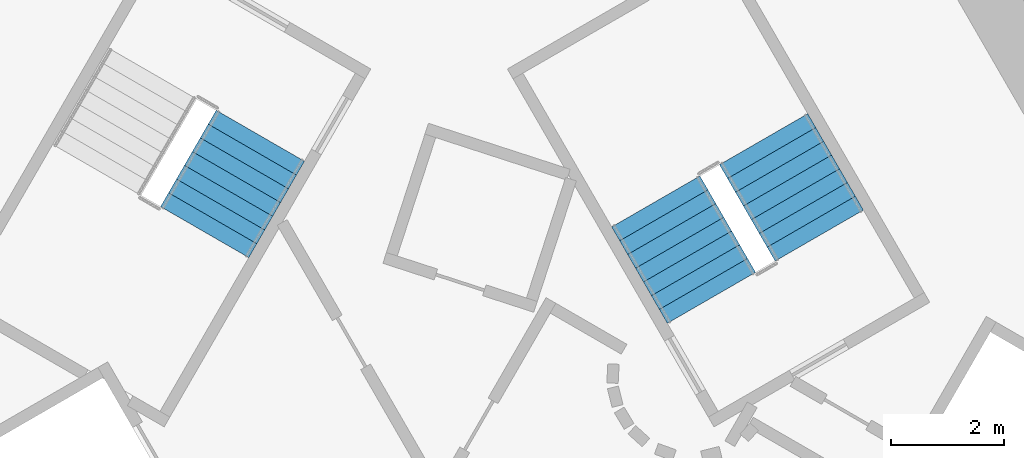
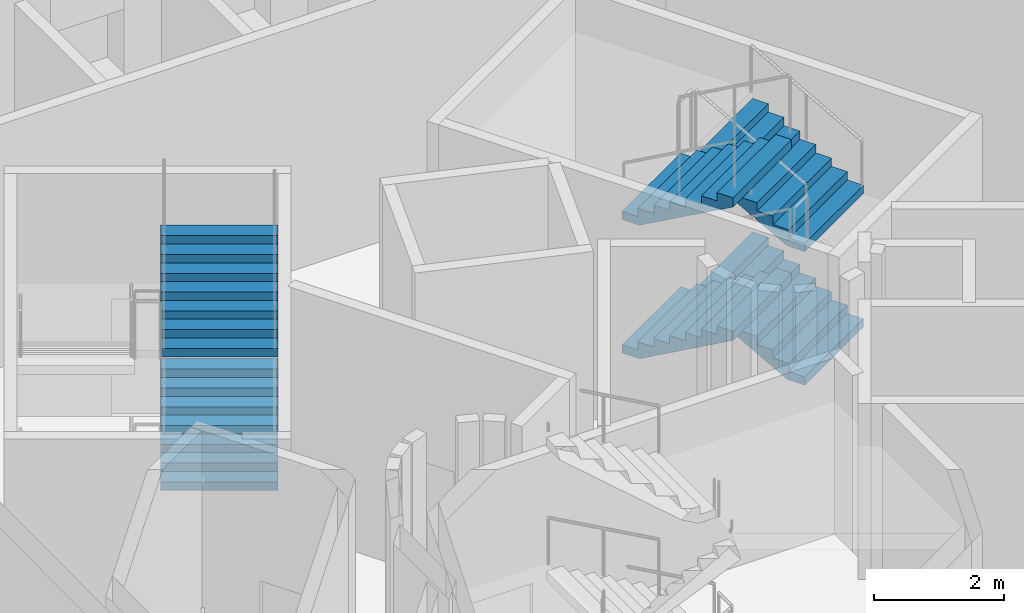
# One storey, part 11 of 16: 6 stair flights, 2 elements without a shape of their own.
"""IFC4 building model written with IfcOpenShell, lengths in metres."""

from ifc_helpers import new_model, si_unit, direction, frame, origin, place, context, subcontext, project, spatial, triangles, material, type_object, element, aggregate, save


model = new_model("IFC4")

# Units and contexts
model_context = context("Model", 3, precision=1e-05, world=origin(), true_north=direction((0.0, 1.0)))
body_context = subcontext(model_context, "Body", "Model", "MODEL_VIEW")
ifc_project = project(units=[si_unit("LENGTHUNIT", "METRE"), si_unit("AREAUNIT", "SQUARE_METRE"), si_unit("VOLUMEUNIT", "CUBIC_METRE"), si_unit("PLANEANGLEUNIT", "RADIAN"), si_unit("MASSUNIT", "GRAM", prefix="KILO")], contexts=[model_context])

# Site, building, storey
site_placement = place(None, origin())
site = spatial("IfcSite", under=ifc_project, at=site_placement, CompositionType="ELEMENT")
building_placement = place(site_placement, origin())
building = spatial("IfcBuilding", under=site, at=building_placement, Name="Entoto Arch Interchange Tower", CompositionType="ELEMENT")
storey_placement = place(building_placement, frame((0.0, 0.0, 15.0)))
storey = spatial("IfcBuildingStorey", under=building, at=storey_placement, Name="L02", CompositionType="ELEMENT", Elevation=15.0)

# Stair, stair flights
ifc_material = material(Name="Concrete C40/50", Category="concrete")
stair_type = type_object("IfcStairType", Name="EXIT STAIR RC 1800", PredefinedType="HALF_TURN_STAIR", material=ifc_material)
stair_1_placement = place(storey_placement, origin())
stair_1 = element("IfcStair", 1, at=stair_1_placement, inside=storey, type_object=stair_type, Name="L02 Exit stair NE", PredefinedType="HALF_TURN_STAIR")
stair_flight_type = type_object("IfcStairFlightType", Name="EXIT STAIR FLIGHT RC 1800", PredefinedType="STRAIGHT", material=ifc_material)
stair_flight_1_placement = place(storey_placement, frame((6.7138671875, 4.470947265625, 0.0), z_axis=(0.0, 0.0, 1.0), x_axis=(-0.5, 0.866025403784, 0.0)))
stair_flight_1 = element("IfcStairFlight", 2, at=stair_flight_1_placement, type_object=stair_flight_type, Name="ST-NE flight 1", NumberOfRisers=8, NumberOfTreads=7, PredefinedType="STRAIGHT", RiserHeight=0.15625, TreadLength=0.28, context=body_context, shape_type="Tessellation", body=[
    triangles([(-0.003, -0.900024, 0.0), (-0.003, -0.900024, 0.15625), (0.28, -0.900024, 0.15625), (0.28, -0.900024, 0.3125), (0.56, -0.900024, 0.3125), (0.56, -0.900024, 0.46875), (0.84, -0.900024, 0.46875), (0.84, -0.900024, 0.625), (1.12, -0.900024, 0.625), (1.12, -0.900024, 0.78125), (1.4, -0.900024, 0.78125), (1.4, -0.900024, 0.9375), (1.68, -0.900024, 0.9375), (1.68, -0.900024, 1.09375), (1.96, -0.900024, 1.09375), (1.963, -0.900024, 1.09375), (1.963, -0.900024, 0.923761), (0.30762, -0.900024, 0.0), (-0.003, 0.900024, 0.0), (-0.003, 0.900024, 0.15625), (0.28, 0.900024, 0.15625), (0.28, 0.900024, 0.3125), (0.56, 0.900024, 0.3125), (0.56, 0.900024, 0.46875), (0.84, 0.900024, 0.46875), (0.84, 0.900024, 0.625), (1.12, 0.900024, 0.625), (1.12, 0.900024, 0.78125), (1.4, 0.900024, 0.78125), (1.4, 0.900024, 0.9375), (1.68, 0.900024, 0.9375), (1.68, 0.900024, 1.09375), (1.96, 0.900024, 1.09375), (1.963, 0.900024, 1.09375), (1.963, 0.900024, 0.923761), (0.30762, 0.900024, 0.0), (-0.003, -0.450012, 0.0), (-0.003, -0.450012, 0.15625), (-0.003, 0.0, 0.0), (-0.003, 0.0, 0.15625), (-0.003, 0.450012, 0.0), (-0.003, 0.450012, 0.15625), (0.28, -0.450012, 0.15625), (0.28, 0.0, 0.15625), (0.28, 0.450012, 0.15625), (0.28, -0.450012, 0.3125), (0.28, 0.0, 0.3125), (0.28, 0.450012, 0.3125), (0.56, -0.450012, 0.3125), (0.56, 0.0, 0.3125), (0.56, 0.450012, 0.3125), (0.56, -0.450012, 0.46875), (0.56, 0.0, 0.46875), (0.56, 0.450012, 0.46875), (0.84, -0.450012, 0.46875), (0.84, 0.0, 0.46875), (0.84, 0.450012, 0.46875), (0.84, -0.450012, 0.625), (0.84, 0.0, 0.625), (0.84, 0.450012, 0.625), (1.12, -0.450012, 0.625), (1.12, 0.0, 0.625), (1.12, 0.450012, 0.625), (1.12, -0.450012, 0.78125), (1.12, 0.0, 0.78125), (1.12, 0.450012, 0.78125), (1.4, -0.450012, 0.78125), (1.4, 0.0, 0.78125), (1.4, 0.450012, 0.78125), (1.4, -0.450012, 0.9375), (1.4, 0.0, 0.9375), (1.4, 0.450012, 0.9375), (1.68, -0.450012, 0.9375), (1.68, 0.0, 0.9375), (1.68, 0.450012, 0.9375), (1.68, -0.450012, 1.09375), (1.68, 0.0, 1.09375), (1.68, 0.450012, 1.09375), (1.96, -0.450012, 1.09375), (1.96, 0.0, 1.09375), (1.96, 0.450012, 1.09375), (1.963, -0.450012, 1.09375), (1.963, 0.0, 1.09375), (1.963, 0.450012, 1.09375), (1.963, -0.450012, 0.923761), (1.963, 0.0, 0.923761), (1.963, 0.450012, 0.923761), (0.30762, -0.450012, 0.0), (0.30762, 0.0, 0.0), (0.30762, 0.450012, 0.0)], [[1, 18, 17], [17, 16, 15], [17, 15, 14], [17, 14, 13], [17, 13, 12], [17, 12, 11], [11, 10, 9], [17, 11, 9], [9, 8, 7], [17, 9, 7], [7, 6, 5], [17, 7, 5], [5, 4, 3], [17, 5, 3], [1, 17, 3], [3, 2, 1], [19, 35, 36], [35, 33, 34], [35, 32, 33], [35, 31, 32], [35, 30, 31], [35, 29, 30], [29, 27, 28], [35, 27, 29], [27, 25, 26], [35, 25, 27], [25, 23, 24], [35, 23, 25], [23, 21, 22], [35, 21, 23], [19, 21, 35], [21, 19, 20], [1, 2, 38], [1, 38, 37], [37, 38, 40], [37, 40, 39], [39, 40, 42], [39, 42, 41], [41, 42, 20], [41, 20, 19], [2, 3, 43], [2, 43, 38], [38, 43, 44], [38, 44, 40], [40, 44, 45], [40, 45, 42], [42, 45, 21], [42, 21, 20], [3, 4, 46], [3, 46, 43], [43, 46, 47], [43, 47, 44], [44, 47, 48], [44, 48, 45], [45, 48, 22], [45, 22, 21], [4, 5, 49], [4, 49, 46], [46, 49, 50], [46, 50, 47], [47, 50, 51], [47, 51, 48], [48, 51, 23], [48, 23, 22], [5, 6, 52], [5, 52, 49], [49, 52, 53], [49, 53, 50], [50, 53, 54], [50, 54, 51], [51, 54, 24], [51, 24, 23], [6, 7, 55], [6, 55, 52], [52, 55, 56], [52, 56, 53], [53, 56, 57], [53, 57, 54], [54, 57, 25], [54, 25, 24], [7, 8, 58], [7, 58, 55], [55, 58, 59], [55, 59, 56], [56, 59, 60], [56, 60, 57], [57, 60, 26], [57, 26, 25], [8, 9, 61], [8, 61, 58], [58, 61, 62], [58, 62, 59], [59, 62, 63], [59, 63, 60], [60, 63, 27], [60, 27, 26], [9, 10, 64], [9, 64, 61], [61, 64, 65], [61, 65, 62], [62, 65, 66], [62, 66, 63], [63, 66, 28], [63, 28, 27], [10, 11, 67], [10, 67, 64], [64, 67, 68], [64, 68, 65], [65, 68, 69], [65, 69, 66], [66, 69, 29], [66, 29, 28], [11, 12, 70], [11, 70, 67], [67, 70, 71], [67, 71, 68], [68, 71, 72], [68, 72, 69], [69, 72, 30], [69, 30, 29], [12, 13, 73], [12, 73, 70], [70, 73, 74], [70, 74, 71], [71, 74, 75], [71, 75, 72], [72, 75, 31], [72, 31, 30], [13, 14, 76], [13, 76, 73], [73, 76, 77], [73, 77, 74], [74, 77, 78], [74, 78, 75], [75, 78, 32], [75, 32, 31], [14, 15, 79], [14, 79, 76], [76, 79, 80], [76, 80, 77], [77, 80, 81], [77, 81, 78], [78, 81, 33], [78, 33, 32], [15, 16, 82], [15, 82, 79], [79, 82, 83], [79, 83, 80], [80, 83, 84], [80, 84, 81], [81, 84, 34], [81, 34, 33], [16, 17, 85], [16, 85, 82], [82, 85, 86], [82, 86, 83], [83, 86, 87], [83, 87, 84], [84, 87, 35], [84, 35, 34], [17, 18, 88], [17, 88, 85], [85, 88, 89], [85, 89, 86], [86, 89, 90], [86, 90, 87], [87, 90, 36], [87, 36, 35], [18, 1, 37], [18, 37, 88], [88, 37, 39], [88, 39, 89], [89, 39, 41], [89, 41, 90], [90, 41, 19], [90, 19, 36]], closed=True),
])
stair_flight_2_placement = place(storey_placement, frame((3.82861328125, 5.068359375, 1.25), z_axis=(0.0, 0.0, 1.0), x_axis=(0.5, -0.866025403784, 0.0)))
stair_flight_2 = element("IfcStairFlight", 3, at=stair_flight_2_placement, type_object=stair_flight_type, Name="ST-NE flight 2", NumberOfRisers=8, NumberOfTreads=7, PredefinedType="STRAIGHT", RiserHeight=0.15625, TreadLength=0.28, context=body_context, shape_type="Tessellation", body=[
    triangles([(-0.003, -0.900024, 0.0), (-0.003, -0.900024, 0.15625), (0.28, -0.900024, 0.15625), (0.28, -0.900024, 0.3125), (0.56, -0.900024, 0.3125), (0.56, -0.900024, 0.46875), (0.84, -0.900024, 0.46875), (0.84, -0.900024, 0.625), (1.12, -0.900024, 0.625), (1.12, -0.900024, 0.78125), (1.4, -0.900024, 0.78125), (1.4, -0.900024, 0.9375), (1.68, -0.900024, 0.9375), (1.68, -0.900024, 1.09375), (1.96, -0.900024, 1.09375), (1.963, -0.900024, 1.09375), (1.963, -0.900024, 0.923761), (0.30762, -0.900024, 0.0), (-0.003, 0.900024, 0.0), (-0.003, 0.900024, 0.15625), (0.28, 0.900024, 0.15625), (0.28, 0.900024, 0.3125), (0.56, 0.900024, 0.3125), (0.56, 0.900024, 0.46875), (0.84, 0.900024, 0.46875), (0.84, 0.900024, 0.625), (1.12, 0.900024, 0.625), (1.12, 0.900024, 0.78125), (1.4, 0.900024, 0.78125), (1.4, 0.900024, 0.9375), (1.68, 0.900024, 0.9375), (1.68, 0.900024, 1.09375), (1.96, 0.900024, 1.09375), (1.963, 0.900024, 1.09375), (1.963, 0.900024, 0.923761), (0.30762, 0.900024, 0.0), (-0.003, -0.450012, 0.0), (-0.003, -0.450012, 0.15625), (-0.003, 0.0, 0.0), (-0.003, 0.0, 0.15625), (-0.003, 0.450012, 0.0), (-0.003, 0.450012, 0.15625), (0.28, -0.450012, 0.15625), (0.28, 0.0, 0.15625), (0.28, 0.450012, 0.15625), (0.28, -0.450012, 0.3125), (0.28, 0.0, 0.3125), (0.28, 0.450012, 0.3125), (0.56, -0.450012, 0.3125), (0.56, 0.0, 0.3125), (0.56, 0.450012, 0.3125), (0.56, -0.450012, 0.46875), (0.56, 0.0, 0.46875), (0.56, 0.450012, 0.46875), (0.84, -0.450012, 0.46875), (0.84, 0.0, 0.46875), (0.84, 0.450012, 0.46875), (0.84, -0.450012, 0.625), (0.84, 0.0, 0.625), (0.84, 0.450012, 0.625), (1.12, -0.450012, 0.625), (1.12, 0.0, 0.625), (1.12, 0.450012, 0.625), (1.12, -0.450012, 0.78125), (1.12, 0.0, 0.78125), (1.12, 0.450012, 0.78125), (1.4, -0.450012, 0.78125), (1.4, 0.0, 0.78125), (1.4, 0.450012, 0.78125), (1.4, -0.450012, 0.9375), (1.4, 0.0, 0.9375), (1.4, 0.450012, 0.9375), (1.68, -0.450012, 0.9375), (1.68, 0.0, 0.9375), (1.68, 0.450012, 0.9375), (1.68, -0.450012, 1.09375), (1.68, 0.0, 1.09375), (1.68, 0.450012, 1.09375), (1.96, -0.450012, 1.09375), (1.96, 0.0, 1.09375), (1.96, 0.450012, 1.09375), (1.963, -0.450012, 1.09375), (1.963, 0.0, 1.09375), (1.963, 0.450012, 1.09375), (1.963, -0.450012, 0.923761), (1.963, 0.0, 0.923761), (1.963, 0.450012, 0.923761), (0.30762, -0.450012, 0.0), (0.30762, 0.0, 0.0), (0.30762, 0.450012, 0.0)], [[1, 18, 17], [17, 16, 15], [17, 15, 14], [17, 14, 13], [17, 13, 12], [17, 12, 11], [11, 10, 9], [17, 11, 9], [9, 8, 7], [17, 9, 7], [7, 6, 5], [17, 7, 5], [5, 4, 3], [17, 5, 3], [1, 17, 3], [3, 2, 1], [19, 35, 36], [35, 33, 34], [35, 32, 33], [35, 31, 32], [35, 30, 31], [35, 29, 30], [29, 27, 28], [35, 27, 29], [27, 25, 26], [35, 25, 27], [25, 23, 24], [35, 23, 25], [23, 21, 22], [35, 21, 23], [19, 21, 35], [21, 19, 20], [1, 2, 38], [1, 38, 37], [37, 38, 40], [37, 40, 39], [39, 40, 42], [39, 42, 41], [41, 42, 20], [41, 20, 19], [2, 3, 43], [2, 43, 38], [38, 43, 44], [38, 44, 40], [40, 44, 45], [40, 45, 42], [42, 45, 21], [42, 21, 20], [3, 4, 46], [3, 46, 43], [43, 46, 47], [43, 47, 44], [44, 47, 48], [44, 48, 45], [45, 48, 22], [45, 22, 21], [4, 5, 49], [4, 49, 46], [46, 49, 50], [46, 50, 47], [47, 50, 51], [47, 51, 48], [48, 51, 23], [48, 23, 22], [5, 6, 52], [5, 52, 49], [49, 52, 53], [49, 53, 50], [50, 53, 54], [50, 54, 51], [51, 54, 24], [51, 24, 23], [6, 7, 55], [6, 55, 52], [52, 55, 56], [52, 56, 53], [53, 56, 57], [53, 57, 54], [54, 57, 25], [54, 25, 24], [7, 8, 58], [7, 58, 55], [55, 58, 59], [55, 59, 56], [56, 59, 60], [56, 60, 57], [57, 60, 26], [57, 26, 25], [8, 9, 61], [8, 61, 58], [58, 61, 62], [58, 62, 59], [59, 62, 63], [59, 63, 60], [60, 63, 27], [60, 27, 26], [9, 10, 64], [9, 64, 61], [61, 64, 65], [61, 65, 62], [62, 65, 66], [62, 66, 63], [63, 66, 28], [63, 28, 27], [10, 11, 67], [10, 67, 64], [64, 67, 68], [64, 68, 65], [65, 68, 69], [65, 69, 66], [66, 69, 29], [66, 29, 28], [11, 12, 70], [11, 70, 67], [67, 70, 71], [67, 71, 68], [68, 71, 72], [68, 72, 69], [69, 72, 30], [69, 30, 29], [12, 13, 73], [12, 73, 70], [70, 73, 74], [70, 74, 71], [71, 74, 75], [71, 75, 72], [72, 75, 31], [72, 31, 30], [13, 14, 76], [13, 76, 73], [73, 76, 77], [73, 77, 74], [74, 77, 78], [74, 78, 75], [75, 78, 32], [75, 32, 31], [14, 15, 79], [14, 79, 76], [76, 79, 80], [76, 80, 77], [77, 80, 81], [77, 81, 78], [78, 81, 33], [78, 33, 32], [15, 16, 82], [15, 82, 79], [79, 82, 83], [79, 83, 80], [80, 83, 84], [80, 84, 81], [81, 84, 34], [81, 34, 33], [16, 17, 85], [16, 85, 82], [82, 85, 86], [82, 86, 83], [83, 86, 87], [83, 87, 84], [84, 87, 35], [84, 35, 34], [17, 18, 88], [17, 88, 85], [85, 88, 89], [85, 89, 86], [86, 89, 90], [86, 90, 87], [87, 90, 36], [87, 36, 35], [18, 1, 37], [18, 37, 88], [88, 37, 39], [88, 39, 89], [89, 39, 41], [89, 41, 90], [90, 41, 19], [90, 19, 36]], closed=True),
])
stair_flight_3_placement = place(storey_placement, frame((6.7138671875, 4.470947265625, 2.5), z_axis=(0.0, 0.0, 1.0), x_axis=(-0.5, 0.866025403784, 0.0)))
stair_flight_3 = element("IfcStairFlight", 4, at=stair_flight_3_placement, type_object=stair_flight_type, Name="ST-NE flight 3", NumberOfRisers=8, NumberOfTreads=7, PredefinedType="STRAIGHT", RiserHeight=0.15625, TreadLength=0.28, context=body_context, shape_type="Tessellation", body=[
    triangles([(-0.003, -0.900024, 0.0), (-0.003, -0.900024, 0.15625), (0.28, -0.900024, 0.15625), (0.28, -0.900024, 0.3125), (0.56, -0.900024, 0.3125), (0.56, -0.900024, 0.46875), (0.84, -0.900024, 0.46875), (0.84, -0.900024, 0.625), (1.12, -0.900024, 0.625), (1.12, -0.900024, 0.78125), (1.4, -0.900024, 0.78125), (1.4, -0.900024, 0.9375), (1.68, -0.900024, 0.9375), (1.68, -0.900024, 1.09375), (1.96, -0.900024, 1.09375), (1.963, -0.900024, 1.09375), (1.963, -0.900024, 0.923761), (0.30762, -0.900024, 0.0), (-0.003, 0.900024, 0.0), (-0.003, 0.900024, 0.15625), (0.28, 0.900024, 0.15625), (0.28, 0.900024, 0.3125), (0.56, 0.900024, 0.3125), (0.56, 0.900024, 0.46875), (0.84, 0.900024, 0.46875), (0.84, 0.900024, 0.625), (1.12, 0.900024, 0.625), (1.12, 0.900024, 0.78125), (1.4, 0.900024, 0.78125), (1.4, 0.900024, 0.9375), (1.68, 0.900024, 0.9375), (1.68, 0.900024, 1.09375), (1.96, 0.900024, 1.09375), (1.963, 0.900024, 1.09375), (1.963, 0.900024, 0.923761), (0.30762, 0.900024, 0.0), (-0.003, -0.450012, 0.0), (-0.003, -0.450012, 0.15625), (-0.003, 0.0, 0.0), (-0.003, 0.0, 0.15625), (-0.003, 0.450012, 0.0), (-0.003, 0.450012, 0.15625), (0.28, -0.450012, 0.15625), (0.28, 0.0, 0.15625), (0.28, 0.450012, 0.15625), (0.28, -0.450012, 0.3125), (0.28, 0.0, 0.3125), (0.28, 0.450012, 0.3125), (0.56, -0.450012, 0.3125), (0.56, 0.0, 0.3125), (0.56, 0.450012, 0.3125), (0.56, -0.450012, 0.46875), (0.56, 0.0, 0.46875), (0.56, 0.450012, 0.46875), (0.84, -0.450012, 0.46875), (0.84, 0.0, 0.46875), (0.84, 0.450012, 0.46875), (0.84, -0.450012, 0.625), (0.84, 0.0, 0.625), (0.84, 0.450012, 0.625), (1.12, -0.450012, 0.625), (1.12, 0.0, 0.625), (1.12, 0.450012, 0.625), (1.12, -0.450012, 0.78125), (1.12, 0.0, 0.78125), (1.12, 0.450012, 0.78125), (1.4, -0.450012, 0.78125), (1.4, 0.0, 0.78125), (1.4, 0.450012, 0.78125), (1.4, -0.450012, 0.9375), (1.4, 0.0, 0.9375), (1.4, 0.450012, 0.9375), (1.68, -0.450012, 0.9375), (1.68, 0.0, 0.9375), (1.68, 0.450012, 0.9375), (1.68, -0.450012, 1.09375), (1.68, 0.0, 1.09375), (1.68, 0.450012, 1.09375), (1.96, -0.450012, 1.09375), (1.96, 0.0, 1.09375), (1.96, 0.450012, 1.09375), (1.963, -0.450012, 1.09375), (1.963, 0.0, 1.09375), (1.963, 0.450012, 1.09375), (1.963, -0.450012, 0.923761), (1.963, 0.0, 0.923761), (1.963, 0.450012, 0.923761), (0.30762, -0.450012, 0.0), (0.30762, 0.0, 0.0), (0.30762, 0.450012, 0.0)], [[1, 18, 17], [17, 16, 15], [17, 15, 14], [17, 14, 13], [17, 13, 12], [17, 12, 11], [11, 10, 9], [17, 11, 9], [9, 8, 7], [17, 9, 7], [7, 6, 5], [17, 7, 5], [5, 4, 3], [17, 5, 3], [1, 17, 3], [3, 2, 1], [19, 35, 36], [35, 33, 34], [35, 32, 33], [35, 31, 32], [35, 30, 31], [35, 29, 30], [29, 27, 28], [35, 27, 29], [27, 25, 26], [35, 25, 27], [25, 23, 24], [35, 23, 25], [23, 21, 22], [35, 21, 23], [19, 21, 35], [21, 19, 20], [1, 2, 38], [1, 38, 37], [37, 38, 40], [37, 40, 39], [39, 40, 42], [39, 42, 41], [41, 42, 20], [41, 20, 19], [2, 3, 43], [2, 43, 38], [38, 43, 44], [38, 44, 40], [40, 44, 45], [40, 45, 42], [42, 45, 21], [42, 21, 20], [3, 4, 46], [3, 46, 43], [43, 46, 47], [43, 47, 44], [44, 47, 48], [44, 48, 45], [45, 48, 22], [45, 22, 21], [4, 5, 49], [4, 49, 46], [46, 49, 50], [46, 50, 47], [47, 50, 51], [47, 51, 48], [48, 51, 23], [48, 23, 22], [5, 6, 52], [5, 52, 49], [49, 52, 53], [49, 53, 50], [50, 53, 54], [50, 54, 51], [51, 54, 24], [51, 24, 23], [6, 7, 55], [6, 55, 52], [52, 55, 56], [52, 56, 53], [53, 56, 57], [53, 57, 54], [54, 57, 25], [54, 25, 24], [7, 8, 58], [7, 58, 55], [55, 58, 59], [55, 59, 56], [56, 59, 60], [56, 60, 57], [57, 60, 26], [57, 26, 25], [8, 9, 61], [8, 61, 58], [58, 61, 62], [58, 62, 59], [59, 62, 63], [59, 63, 60], [60, 63, 27], [60, 27, 26], [9, 10, 64], [9, 64, 61], [61, 64, 65], [61, 65, 62], [62, 65, 66], [62, 66, 63], [63, 66, 28], [63, 28, 27], [10, 11, 67], [10, 67, 64], [64, 67, 68], [64, 68, 65], [65, 68, 69], [65, 69, 66], [66, 69, 29], [66, 29, 28], [11, 12, 70], [11, 70, 67], [67, 70, 71], [67, 71, 68], [68, 71, 72], [68, 72, 69], [69, 72, 30], [69, 30, 29], [12, 13, 73], [12, 73, 70], [70, 73, 74], [70, 74, 71], [71, 74, 75], [71, 75, 72], [72, 75, 31], [72, 31, 30], [13, 14, 76], [13, 76, 73], [73, 76, 77], [73, 77, 74], [74, 77, 78], [74, 78, 75], [75, 78, 32], [75, 32, 31], [14, 15, 79], [14, 79, 76], [76, 79, 80], [76, 80, 77], [77, 80, 81], [77, 81, 78], [78, 81, 33], [78, 33, 32], [15, 16, 82], [15, 82, 79], [79, 82, 83], [79, 83, 80], [80, 83, 84], [80, 84, 81], [81, 84, 34], [81, 34, 33], [16, 17, 85], [16, 85, 82], [82, 85, 86], [82, 86, 83], [83, 86, 87], [83, 87, 84], [84, 87, 35], [84, 35, 34], [17, 18, 88], [17, 88, 85], [85, 88, 89], [85, 89, 86], [86, 89, 90], [86, 90, 87], [87, 90, 36], [87, 36, 35], [18, 1, 37], [18, 37, 88], [88, 37, 39], [88, 39, 89], [89, 39, 41], [89, 41, 90], [90, 41, 19], [90, 19, 36]], closed=True),
])
stair_flight_4_placement = place(storey_placement, frame((3.82861328125, 5.068359375, 3.75), z_axis=(0.0, 0.0, 1.0), x_axis=(0.5, -0.866025403784, 0.0)))
stair_flight_4 = element("IfcStairFlight", 5, at=stair_flight_4_placement, type_object=stair_flight_type, Name="ST-NE flight 4", NumberOfRisers=8, NumberOfTreads=7, PredefinedType="STRAIGHT", RiserHeight=0.15625, TreadLength=0.28, context=body_context, shape_type="Tessellation", body=[
    triangles([(-0.003, -0.900024, 0.0), (-0.003, -0.900024, 0.15625), (0.28, -0.900024, 0.15625), (0.28, -0.900024, 0.3125), (0.56, -0.900024, 0.3125), (0.56, -0.900024, 0.46875), (0.84, -0.900024, 0.46875), (0.84, -0.900024, 0.625), (1.12, -0.900024, 0.625), (1.12, -0.900024, 0.78125), (1.4, -0.900024, 0.78125), (1.4, -0.900024, 0.9375), (1.68, -0.900024, 0.9375), (1.68, -0.900024, 1.09375), (1.96, -0.900024, 1.09375), (1.963, -0.900024, 1.09375), (1.963, -0.900024, 0.923761), (0.30762, -0.900024, 0.0), (-0.003, 0.900024, 0.0), (-0.003, 0.900024, 0.15625), (0.28, 0.900024, 0.15625), (0.28, 0.900024, 0.3125), (0.56, 0.900024, 0.3125), (0.56, 0.900024, 0.46875), (0.84, 0.900024, 0.46875), (0.84, 0.900024, 0.625), (1.12, 0.900024, 0.625), (1.12, 0.900024, 0.78125), (1.4, 0.900024, 0.78125), (1.4, 0.900024, 0.9375), (1.68, 0.900024, 0.9375), (1.68, 0.900024, 1.09375), (1.96, 0.900024, 1.09375), (1.963, 0.900024, 1.09375), (1.963, 0.900024, 0.923761), (0.30762, 0.900024, 0.0), (-0.003, -0.450012, 0.0), (-0.003, -0.450012, 0.15625), (-0.003, 0.0, 0.0), (-0.003, 0.0, 0.15625), (-0.003, 0.450012, 0.0), (-0.003, 0.450012, 0.15625), (0.28, -0.450012, 0.15625), (0.28, 0.0, 0.15625), (0.28, 0.450012, 0.15625), (0.28, -0.450012, 0.3125), (0.28, 0.0, 0.3125), (0.28, 0.450012, 0.3125), (0.56, -0.450012, 0.3125), (0.56, 0.0, 0.3125), (0.56, 0.450012, 0.3125), (0.56, -0.450012, 0.46875), (0.56, 0.0, 0.46875), (0.56, 0.450012, 0.46875), (0.84, -0.450012, 0.46875), (0.84, 0.0, 0.46875), (0.84, 0.450012, 0.46875), (0.84, -0.450012, 0.625), (0.84, 0.0, 0.625), (0.84, 0.450012, 0.625), (1.12, -0.450012, 0.625), (1.12, 0.0, 0.625), (1.12, 0.450012, 0.625), (1.12, -0.450012, 0.78125), (1.12, 0.0, 0.78125), (1.12, 0.450012, 0.78125), (1.4, -0.450012, 0.78125), (1.4, 0.0, 0.78125), (1.4, 0.450012, 0.78125), (1.4, -0.450012, 0.9375), (1.4, 0.0, 0.9375), (1.4, 0.450012, 0.9375), (1.68, -0.450012, 0.9375), (1.68, 0.0, 0.9375), (1.68, 0.450012, 0.9375), (1.68, -0.450012, 1.09375), (1.68, 0.0, 1.09375), (1.68, 0.450012, 1.09375), (1.96, -0.450012, 1.09375), (1.96, 0.0, 1.09375), (1.96, 0.450012, 1.09375), (1.963, -0.450012, 1.09375), (1.963, 0.0, 1.09375), (1.963, 0.450012, 1.09375), (1.963, -0.450012, 0.923761), (1.963, 0.0, 0.923761), (1.963, 0.450012, 0.923761), (0.30762, -0.450012, 0.0), (0.30762, 0.0, 0.0), (0.30762, 0.450012, 0.0)], [[1, 18, 17], [17, 16, 15], [17, 15, 14], [17, 14, 13], [17, 13, 12], [17, 12, 11], [11, 10, 9], [17, 11, 9], [9, 8, 7], [17, 9, 7], [7, 6, 5], [17, 7, 5], [5, 4, 3], [17, 5, 3], [1, 17, 3], [3, 2, 1], [19, 35, 36], [35, 33, 34], [35, 32, 33], [35, 31, 32], [35, 30, 31], [35, 29, 30], [29, 27, 28], [35, 27, 29], [27, 25, 26], [35, 25, 27], [25, 23, 24], [35, 23, 25], [23, 21, 22], [35, 21, 23], [19, 21, 35], [21, 19, 20], [1, 2, 38], [1, 38, 37], [37, 38, 40], [37, 40, 39], [39, 40, 42], [39, 42, 41], [41, 42, 20], [41, 20, 19], [2, 3, 43], [2, 43, 38], [38, 43, 44], [38, 44, 40], [40, 44, 45], [40, 45, 42], [42, 45, 21], [42, 21, 20], [3, 4, 46], [3, 46, 43], [43, 46, 47], [43, 47, 44], [44, 47, 48], [44, 48, 45], [45, 48, 22], [45, 22, 21], [4, 5, 49], [4, 49, 46], [46, 49, 50], [46, 50, 47], [47, 50, 51], [47, 51, 48], [48, 51, 23], [48, 23, 22], [5, 6, 52], [5, 52, 49], [49, 52, 53], [49, 53, 50], [50, 53, 54], [50, 54, 51], [51, 54, 24], [51, 24, 23], [6, 7, 55], [6, 55, 52], [52, 55, 56], [52, 56, 53], [53, 56, 57], [53, 57, 54], [54, 57, 25], [54, 25, 24], [7, 8, 58], [7, 58, 55], [55, 58, 59], [55, 59, 56], [56, 59, 60], [56, 60, 57], [57, 60, 26], [57, 26, 25], [8, 9, 61], [8, 61, 58], [58, 61, 62], [58, 62, 59], [59, 62, 63], [59, 63, 60], [60, 63, 27], [60, 27, 26], [9, 10, 64], [9, 64, 61], [61, 64, 65], [61, 65, 62], [62, 65, 66], [62, 66, 63], [63, 66, 28], [63, 28, 27], [10, 11, 67], [10, 67, 64], [64, 67, 68], [64, 68, 65], [65, 68, 69], [65, 69, 66], [66, 69, 29], [66, 29, 28], [11, 12, 70], [11, 70, 67], [67, 70, 71], [67, 71, 68], [68, 71, 72], [68, 72, 69], [69, 72, 30], [69, 30, 29], [12, 13, 73], [12, 73, 70], [70, 73, 74], [70, 74, 71], [71, 74, 75], [71, 75, 72], [72, 75, 31], [72, 31, 30], [13, 14, 76], [13, 76, 73], [73, 76, 77], [73, 77, 74], [74, 77, 78], [74, 78, 75], [75, 78, 32], [75, 32, 31], [14, 15, 79], [14, 79, 76], [76, 79, 80], [76, 80, 77], [77, 80, 81], [77, 81, 78], [78, 81, 33], [78, 33, 32], [15, 16, 82], [15, 82, 79], [79, 82, 83], [79, 83, 80], [80, 83, 84], [80, 84, 81], [81, 84, 34], [81, 34, 33], [16, 17, 85], [16, 85, 82], [82, 85, 86], [82, 86, 83], [83, 86, 87], [83, 87, 84], [84, 87, 35], [84, 35, 34], [17, 18, 88], [17, 88, 85], [85, 88, 89], [85, 89, 86], [86, 89, 90], [86, 90, 87], [87, 90, 36], [87, 36, 35], [18, 1, 37], [18, 37, 88], [88, 37, 39], [88, 39, 89], [89, 39, 41], [89, 41, 90], [90, 41, 19], [90, 19, 36]], closed=True),
])
aggregate(stair_1, [stair_flight_1, stair_flight_2, stair_flight_3, stair_flight_4])

stair_2_placement = place(storey_placement, origin())
stair_2 = element("IfcStair", 6, at=stair_2_placement, inside=storey, type_object=stair_type, Name="L02 Exit stair NW", PredefinedType="HALF_TURN_STAIR")
stair_flight_5_placement = place(storey_placement, frame((-4.138671875, 4.531494140625, 1.25), z_axis=(0.0, 0.0, 1.0), x_axis=(0.5, 0.866025403784, 0.0)))
stair_flight_5 = element("IfcStairFlight", 7, at=stair_flight_5_placement, type_object=stair_flight_type, Name="ST-NW flight 2", NumberOfRisers=8, NumberOfTreads=7, PredefinedType="STRAIGHT", RiserHeight=0.15625, TreadLength=0.28, context=body_context, shape_type="Tessellation", body=[
    triangles([(-0.003, -0.900024, 0.0), (-0.003, -0.900024, 0.15625), (0.28, -0.900024, 0.15625), (0.28, -0.900024, 0.3125), (0.56, -0.900024, 0.3125), (0.56, -0.900024, 0.46875), (0.84, -0.900024, 0.46875), (0.84, -0.900024, 0.625), (1.12, -0.900024, 0.625), (1.12, -0.900024, 0.78125), (1.4, -0.900024, 0.78125), (1.4, -0.900024, 0.9375), (1.68, -0.900024, 0.9375), (1.68, -0.900024, 1.09375), (1.96, -0.900024, 1.09375), (1.963, -0.900024, 1.09375), (1.963, -0.900024, 0.923761), (0.30762, -0.900024, 0.0), (-0.003, 0.900024, 0.0), (-0.003, 0.900024, 0.15625), (0.28, 0.900024, 0.15625), (0.28, 0.900024, 0.3125), (0.56, 0.900024, 0.3125), (0.56, 0.900024, 0.46875), (0.84, 0.900024, 0.46875), (0.84, 0.900024, 0.625), (1.12, 0.900024, 0.625), (1.12, 0.900024, 0.78125), (1.4, 0.900024, 0.78125), (1.4, 0.900024, 0.9375), (1.68, 0.900024, 0.9375), (1.68, 0.900024, 1.09375), (1.96, 0.900024, 1.09375), (1.963, 0.900024, 1.09375), (1.963, 0.900024, 0.923761), (0.30762, 0.900024, 0.0), (-0.003, -0.450012, 0.0), (-0.003, -0.450012, 0.15625), (-0.003, 0.0, 0.0), (-0.003, 0.0, 0.15625), (-0.003, 0.450012, 0.0), (-0.003, 0.450012, 0.15625), (0.28, -0.450012, 0.15625), (0.28, 0.0, 0.15625), (0.28, 0.450012, 0.15625), (0.28, -0.450012, 0.3125), (0.28, 0.0, 0.3125), (0.28, 0.450012, 0.3125), (0.56, -0.450012, 0.3125), (0.56, 0.0, 0.3125), (0.56, 0.450012, 0.3125), (0.56, -0.450012, 0.46875), (0.56, 0.0, 0.46875), (0.56, 0.450012, 0.46875), (0.84, -0.450012, 0.46875), (0.84, 0.0, 0.46875), (0.84, 0.450012, 0.46875), (0.84, -0.450012, 0.625), (0.84, 0.0, 0.625), (0.84, 0.450012, 0.625), (1.12, -0.450012, 0.625), (1.12, 0.0, 0.625), (1.12, 0.450012, 0.625), (1.12, -0.450012, 0.78125), (1.12, 0.0, 0.78125), (1.12, 0.450012, 0.78125), (1.4, -0.450012, 0.78125), (1.4, 0.0, 0.78125), (1.4, 0.450012, 0.78125), (1.4, -0.450012, 0.9375), (1.4, 0.0, 0.9375), (1.4, 0.450012, 0.9375), (1.68, -0.450012, 0.9375), (1.68, 0.0, 0.9375), (1.68, 0.450012, 0.9375), (1.68, -0.450012, 1.09375), (1.68, 0.0, 1.09375), (1.68, 0.450012, 1.09375), (1.96, -0.450012, 1.09375), (1.96, 0.0, 1.09375), (1.96, 0.450012, 1.09375), (1.963, -0.450012, 1.09375), (1.963, 0.0, 1.09375), (1.963, 0.450012, 1.09375), (1.963, -0.450012, 0.923761), (1.963, 0.0, 0.923761), (1.963, 0.450012, 0.923761), (0.30762, -0.450012, 0.0), (0.30762, 0.0, 0.0), (0.30762, 0.450012, 0.0)], [[1, 18, 17], [17, 16, 15], [17, 15, 14], [17, 14, 13], [17, 13, 12], [17, 12, 11], [11, 10, 9], [17, 11, 9], [9, 8, 7], [17, 9, 7], [7, 6, 5], [17, 7, 5], [5, 4, 3], [17, 5, 3], [1, 17, 3], [3, 2, 1], [19, 35, 36], [35, 33, 34], [35, 32, 33], [35, 31, 32], [35, 30, 31], [35, 29, 30], [29, 27, 28], [35, 27, 29], [27, 25, 26], [35, 25, 27], [25, 23, 24], [35, 23, 25], [23, 21, 22], [35, 21, 23], [19, 21, 35], [21, 19, 20], [1, 2, 38], [1, 38, 37], [37, 38, 40], [37, 40, 39], [39, 40, 42], [39, 42, 41], [41, 42, 20], [41, 20, 19], [2, 3, 43], [2, 43, 38], [38, 43, 44], [38, 44, 40], [40, 44, 45], [40, 45, 42], [42, 45, 21], [42, 21, 20], [3, 4, 46], [3, 46, 43], [43, 46, 47], [43, 47, 44], [44, 47, 48], [44, 48, 45], [45, 48, 22], [45, 22, 21], [4, 5, 49], [4, 49, 46], [46, 49, 50], [46, 50, 47], [47, 50, 51], [47, 51, 48], [48, 51, 23], [48, 23, 22], [5, 6, 52], [5, 52, 49], [49, 52, 53], [49, 53, 50], [50, 53, 54], [50, 54, 51], [51, 54, 24], [51, 24, 23], [6, 7, 55], [6, 55, 52], [52, 55, 56], [52, 56, 53], [53, 56, 57], [53, 57, 54], [54, 57, 25], [54, 25, 24], [7, 8, 58], [7, 58, 55], [55, 58, 59], [55, 59, 56], [56, 59, 60], [56, 60, 57], [57, 60, 26], [57, 26, 25], [8, 9, 61], [8, 61, 58], [58, 61, 62], [58, 62, 59], [59, 62, 63], [59, 63, 60], [60, 63, 27], [60, 27, 26], [9, 10, 64], [9, 64, 61], [61, 64, 65], [61, 65, 62], [62, 65, 66], [62, 66, 63], [63, 66, 28], [63, 28, 27], [10, 11, 67], [10, 67, 64], [64, 67, 68], [64, 68, 65], [65, 68, 69], [65, 69, 66], [66, 69, 29], [66, 29, 28], [11, 12, 70], [11, 70, 67], [67, 70, 71], [67, 71, 68], [68, 71, 72], [68, 72, 69], [69, 72, 30], [69, 30, 29], [12, 13, 73], [12, 73, 70], [70, 73, 74], [70, 74, 71], [71, 74, 75], [71, 75, 72], [72, 75, 31], [72, 31, 30], [13, 14, 76], [13, 76, 73], [73, 76, 77], [73, 77, 74], [74, 77, 78], [74, 78, 75], [75, 78, 32], [75, 32, 31], [14, 15, 79], [14, 79, 76], [76, 79, 80], [76, 80, 77], [77, 80, 81], [77, 81, 78], [78, 81, 33], [78, 33, 32], [15, 16, 82], [15, 82, 79], [79, 82, 83], [79, 83, 80], [80, 83, 84], [80, 84, 81], [81, 84, 34], [81, 34, 33], [16, 17, 85], [16, 85, 82], [82, 85, 86], [82, 86, 83], [83, 86, 87], [83, 87, 84], [84, 87, 35], [84, 35, 34], [17, 18, 88], [17, 88, 85], [85, 88, 89], [85, 89, 86], [86, 89, 90], [86, 90, 87], [87, 90, 36], [87, 36, 35], [18, 1, 37], [18, 37, 88], [88, 37, 39], [88, 39, 89], [89, 39, 41], [89, 41, 90], [90, 41, 19], [90, 19, 36]], closed=True),
])
stair_flight_6_placement = place(storey_placement, frame((-4.138671875, 4.531494140625, 3.75), z_axis=(0.0, 0.0, 1.0), x_axis=(0.5, 0.866025403784, 0.0)))
stair_flight_6 = element("IfcStairFlight", 8, at=stair_flight_6_placement, type_object=stair_flight_type, Name="ST-NW flight 4", NumberOfRisers=8, NumberOfTreads=7, PredefinedType="STRAIGHT", RiserHeight=0.15625, TreadLength=0.28, context=body_context, shape_type="Tessellation", body=[
    triangles([(-0.003, -0.900024, 0.0), (-0.003, -0.900024, 0.15625), (0.28, -0.900024, 0.15625), (0.28, -0.900024, 0.3125), (0.56, -0.900024, 0.3125), (0.56, -0.900024, 0.46875), (0.84, -0.900024, 0.46875), (0.84, -0.900024, 0.625), (1.12, -0.900024, 0.625), (1.12, -0.900024, 0.78125), (1.4, -0.900024, 0.78125), (1.4, -0.900024, 0.9375), (1.68, -0.900024, 0.9375), (1.68, -0.900024, 1.09375), (1.96, -0.900024, 1.09375), (1.963, -0.900024, 1.09375), (1.963, -0.900024, 0.923761), (0.30762, -0.900024, 0.0), (-0.003, 0.900024, 0.0), (-0.003, 0.900024, 0.15625), (0.28, 0.900024, 0.15625), (0.28, 0.900024, 0.3125), (0.56, 0.900024, 0.3125), (0.56, 0.900024, 0.46875), (0.84, 0.900024, 0.46875), (0.84, 0.900024, 0.625), (1.12, 0.900024, 0.625), (1.12, 0.900024, 0.78125), (1.4, 0.900024, 0.78125), (1.4, 0.900024, 0.9375), (1.68, 0.900024, 0.9375), (1.68, 0.900024, 1.09375), (1.96, 0.900024, 1.09375), (1.963, 0.900024, 1.09375), (1.963, 0.900024, 0.923761), (0.30762, 0.900024, 0.0), (-0.003, -0.450012, 0.0), (-0.003, -0.450012, 0.15625), (-0.003, 0.0, 0.0), (-0.003, 0.0, 0.15625), (-0.003, 0.450012, 0.0), (-0.003, 0.450012, 0.15625), (0.28, -0.450012, 0.15625), (0.28, 0.0, 0.15625), (0.28, 0.450012, 0.15625), (0.28, -0.450012, 0.3125), (0.28, 0.0, 0.3125), (0.28, 0.450012, 0.3125), (0.56, -0.450012, 0.3125), (0.56, 0.0, 0.3125), (0.56, 0.450012, 0.3125), (0.56, -0.450012, 0.46875), (0.56, 0.0, 0.46875), (0.56, 0.450012, 0.46875), (0.84, -0.450012, 0.46875), (0.84, 0.0, 0.46875), (0.84, 0.450012, 0.46875), (0.84, -0.450012, 0.625), (0.84, 0.0, 0.625), (0.84, 0.450012, 0.625), (1.12, -0.450012, 0.625), (1.12, 0.0, 0.625), (1.12, 0.450012, 0.625), (1.12, -0.450012, 0.78125), (1.12, 0.0, 0.78125), (1.12, 0.450012, 0.78125), (1.4, -0.450012, 0.78125), (1.4, 0.0, 0.78125), (1.4, 0.450012, 0.78125), (1.4, -0.450012, 0.9375), (1.4, 0.0, 0.9375), (1.4, 0.450012, 0.9375), (1.68, -0.450012, 0.9375), (1.68, 0.0, 0.9375), (1.68, 0.450012, 0.9375), (1.68, -0.450012, 1.09375), (1.68, 0.0, 1.09375), (1.68, 0.450012, 1.09375), (1.96, -0.450012, 1.09375), (1.96, 0.0, 1.09375), (1.96, 0.450012, 1.09375), (1.963, -0.450012, 1.09375), (1.963, 0.0, 1.09375), (1.963, 0.450012, 1.09375), (1.963, -0.450012, 0.923761), (1.963, 0.0, 0.923761), (1.963, 0.450012, 0.923761), (0.30762, -0.450012, 0.0), (0.30762, 0.0, 0.0), (0.30762, 0.450012, 0.0)], [[1, 18, 17], [17, 16, 15], [17, 15, 14], [17, 14, 13], [17, 13, 12], [17, 12, 11], [11, 10, 9], [17, 11, 9], [9, 8, 7], [17, 9, 7], [7, 6, 5], [17, 7, 5], [5, 4, 3], [17, 5, 3], [1, 17, 3], [3, 2, 1], [19, 35, 36], [35, 33, 34], [35, 32, 33], [35, 31, 32], [35, 30, 31], [35, 29, 30], [29, 27, 28], [35, 27, 29], [27, 25, 26], [35, 25, 27], [25, 23, 24], [35, 23, 25], [23, 21, 22], [35, 21, 23], [19, 21, 35], [21, 19, 20], [1, 2, 38], [1, 38, 37], [37, 38, 40], [37, 40, 39], [39, 40, 42], [39, 42, 41], [41, 42, 20], [41, 20, 19], [2, 3, 43], [2, 43, 38], [38, 43, 44], [38, 44, 40], [40, 44, 45], [40, 45, 42], [42, 45, 21], [42, 21, 20], [3, 4, 46], [3, 46, 43], [43, 46, 47], [43, 47, 44], [44, 47, 48], [44, 48, 45], [45, 48, 22], [45, 22, 21], [4, 5, 49], [4, 49, 46], [46, 49, 50], [46, 50, 47], [47, 50, 51], [47, 51, 48], [48, 51, 23], [48, 23, 22], [5, 6, 52], [5, 52, 49], [49, 52, 53], [49, 53, 50], [50, 53, 54], [50, 54, 51], [51, 54, 24], [51, 24, 23], [6, 7, 55], [6, 55, 52], [52, 55, 56], [52, 56, 53], [53, 56, 57], [53, 57, 54], [54, 57, 25], [54, 25, 24], [7, 8, 58], [7, 58, 55], [55, 58, 59], [55, 59, 56], [56, 59, 60], [56, 60, 57], [57, 60, 26], [57, 26, 25], [8, 9, 61], [8, 61, 58], [58, 61, 62], [58, 62, 59], [59, 62, 63], [59, 63, 60], [60, 63, 27], [60, 27, 26], [9, 10, 64], [9, 64, 61], [61, 64, 65], [61, 65, 62], [62, 65, 66], [62, 66, 63], [63, 66, 28], [63, 28, 27], [10, 11, 67], [10, 67, 64], [64, 67, 68], [64, 68, 65], [65, 68, 69], [65, 69, 66], [66, 69, 29], [66, 29, 28], [11, 12, 70], [11, 70, 67], [67, 70, 71], [67, 71, 68], [68, 71, 72], [68, 72, 69], [69, 72, 30], [69, 30, 29], [12, 13, 73], [12, 73, 70], [70, 73, 74], [70, 74, 71], [71, 74, 75], [71, 75, 72], [72, 75, 31], [72, 31, 30], [13, 14, 76], [13, 76, 73], [73, 76, 77], [73, 77, 74], [74, 77, 78], [74, 78, 75], [75, 78, 32], [75, 32, 31], [14, 15, 79], [14, 79, 76], [76, 79, 80], [76, 80, 77], [77, 80, 81], [77, 81, 78], [78, 81, 33], [78, 33, 32], [15, 16, 82], [15, 82, 79], [79, 82, 83], [79, 83, 80], [80, 83, 84], [80, 84, 81], [81, 84, 34], [81, 34, 33], [16, 17, 85], [16, 85, 82], [82, 85, 86], [82, 86, 83], [83, 86, 87], [83, 87, 84], [84, 87, 35], [84, 35, 34], [17, 18, 88], [17, 88, 85], [85, 88, 89], [85, 89, 86], [86, 89, 90], [86, 90, 87], [87, 90, 36], [87, 36, 35], [18, 1, 37], [18, 37, 88], [88, 37, 39], [88, 39, 89], [89, 39, 41], [89, 41, 90], [90, 41, 19], [90, 19, 36]], closed=True),
])
aggregate(stair_2, [stair_flight_5, stair_flight_6])

save(model, "model.ifc")
